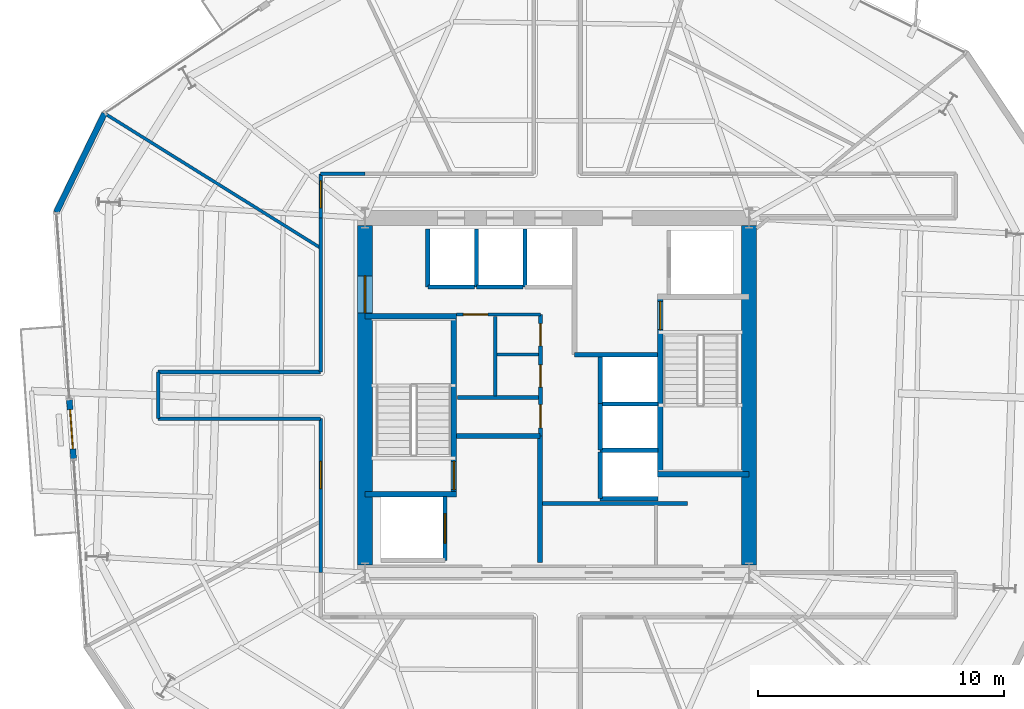
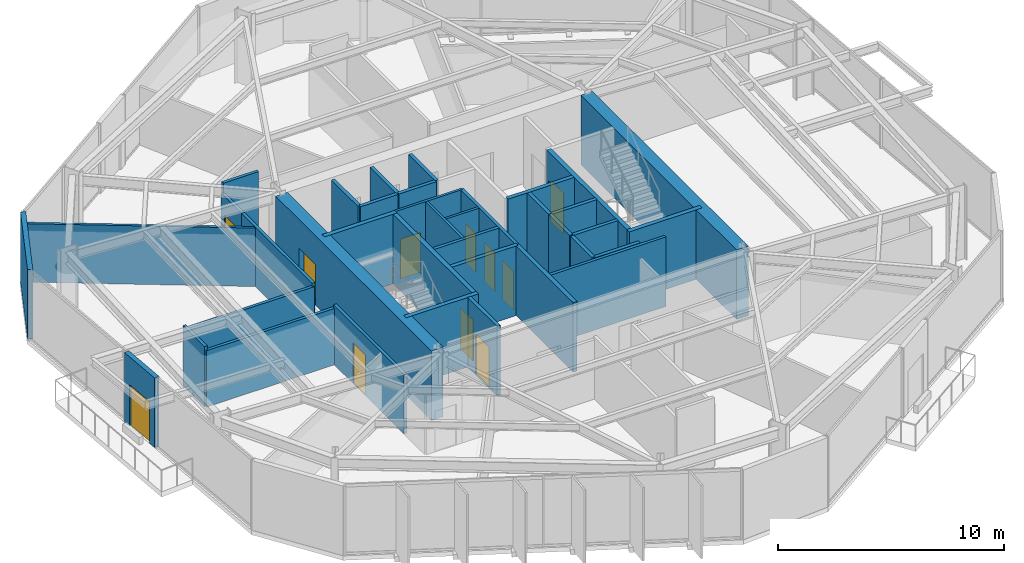
# One storey, part 7 of 14: 38 walls, 11 doors, 11 openings.
"""IFC4 building model written with IfcOpenShell, lengths in metres."""

from ifc_helpers import new_model, si_unit, direction, frame, frame_2d, origin, place, context, subcontext, project, spatial, rectangle, extrude, material, layer, layer_set, type_object, element, fill, save


model = new_model("IFC4")

# Units and contexts
model_context = context("Model", 3, precision=1e-05, world=origin(), true_north=direction((0.0, 1.0)))
body_context = subcontext(model_context, "Body", "Model", "MODEL_VIEW")
ifc_project = project(units=[si_unit("LENGTHUNIT", "METRE"), si_unit("AREAUNIT", "SQUARE_METRE"), si_unit("VOLUMEUNIT", "CUBIC_METRE"), si_unit("PLANEANGLEUNIT", "RADIAN"), si_unit("MASSUNIT", "GRAM", prefix="KILO")], contexts=[model_context])

# Site, building, storey
site_placement = place(None, origin())
site = spatial("IfcSite", under=ifc_project, at=site_placement, CompositionType="ELEMENT")
building_placement = place(site_placement, origin())
building = spatial("IfcBuilding", under=site, at=building_placement, Name="Kranzbogen Civic Tower", CompositionType="ELEMENT")
storey_placement = place(building_placement, frame((0.0, 0.0, 158.39990234375)))
storey = spatial("IfcBuildingStorey", under=building, at=storey_placement, Name="L38", CompositionType="ELEMENT", Elevation=158.39990234375)

# Wall
ifc_material_1 = material(Name="Double-Stud Acoustic Gypsum Partition")
ifc_layer_1 = layer(ifc_material_1, 0.14990234375, Name="Double-Stud Acoustic Gypsum Partition")
ifc_layer_set_1 = layer_set([ifc_layer_1], Name="Double-Stud Acoustic Gypsum Partition")
wall_type_1 = type_object("IfcWallType", Name="Acoustic Corridor and Clinical Partition 150 mm", PredefinedType="PARTITIONING", material=ifc_layer_set_1)
wall_1_placement = place(storey_placement, frame((24.39990234375, 20.610107421875, 0.0), z_axis=(0.0, 0.0, 1.0), x_axis=(1.0, 0.0, 0.0)))
element("IfcWall", 1, at=wall_1_placement, inside=storey, type_object=wall_type_1, Name="L38 records zone North wall", PredefinedType="PARTITIONING", context=body_context, shape_type="SweptSolid", body=[
    extrude(rectangle(XDim=5.900146484375, YDim=0.14990234375, at=frame_2d((2.9501953125, 0.0))), origin(), (0.0, 0.0, 1.0), 3.760009765625),
])

# Wall, opening, door
wall_2_placement = place(storey_placement, frame((15.39990234375, 17.800048828125, 0.0), z_axis=(0.0, 0.0, 1.0), x_axis=(0.0, 1.0, 0.0)))
wall_2 = element("IfcWall", 2, at=wall_2_placement, inside=storey, type_object=wall_type_1, Name="L38 corridor partition 03", PredefinedType="PARTITIONING", context=body_context, shape_type="SweptSolid", body=[
    extrude(rectangle(XDim=6.25, YDim=0.14990234375, at=frame_2d((3.125, 0.0))), origin(), (0.0, 0.0, 1.0), 3.210205078125),
])
opening_1_placement = place(wall_2_placement, frame((3.4130859375, 0.0, 0.0)))
opening_1 = element("IfcOpeningElement", 3, at=opening_1_placement, cuts=wall_2, Name="Opening D-COR60", PredefinedType="OPENING", context=body_context, shape_type="SweptSolid", body=[
    extrude(rectangle(XDim=1.10009765625, YDim=2.199951171875, at=frame_2d((0.550048828125, 1.10009765625))), frame((0.0, 0.0849609375, 0.0), z_axis=(0.0, -1.0, 0.0), x_axis=(1.0, 0.0, 0.0)), (0.0, 0.0, 1.0), 0.169921875),
])
ifc_material_2 = material(Name="Oak Timber and Fire Core", Category="wood")
door_type_1 = type_object("IfcDoorType", Name="Corridor Acoustic Fire Door 1100x2200", OperationType="NOTDEFINED", PredefinedType="DOOR", material=ifc_material_2)
door_1_placement = place(opening_1_placement, origin())
door_1 = element("IfcDoor", 4, at=door_1_placement, inside=storey, type_object=door_type_1, Name="L38 Staff Tea Pantry door", OperationType="SINGLE_SWING_LEFT", OverallHeight=2.199951171875, OverallWidth=1.10009765625, PredefinedType="DOOR", context=body_context, shape_type="SweptSolid", body=[
    extrude(rectangle(XDim=1.10009765625, YDim=2.199951171875, at=frame_2d((0.550048828125, 1.10009765625))), frame((0.0, 0.02490234375, 0.0), z_axis=(0.0, -1.0, 0.0), x_axis=(1.0, 0.0, 0.0)), (0.0, 0.0, 1.0), 0.050048828125),
])
fill(opening_1, door_1)

# Walls
wall_3_placement = place(storey_placement, frame((15.39990234375, 24.050048828125, 0.0), z_axis=(0.0, 0.0, 1.0), x_axis=(-1.0, 0.0, 0.0)))
element("IfcWall", 5, at=wall_3_placement, inside=storey, type_object=wall_type_1, Name="L38 corridor partition 04", PredefinedType="PARTITIONING", context=body_context, shape_type="SweptSolid", body=[
    extrude(rectangle(XDim=6.599853515625, YDim=0.14990234375, at=frame_2d((3.2998046875, 0.0))), origin(), (0.0, 0.0, 1.0), 3.050048828125),
])
wall_4_placement = place(storey_placement, frame((8.800048828125, 24.050048828125, 0.0), z_axis=(0.0, 0.0, 1.0), x_axis=(0.0, 1.0, 0.0)))
element("IfcWall", 6, at=wall_4_placement, inside=storey, type_object=wall_type_1, Name="L38 corridor partition 05", PredefinedType="PARTITIONING", context=body_context, shape_type="SweptSolid", body=[
    extrude(rectangle(XDim=1.89990234375, YDim=0.14990234375, at=frame_2d((0.949951171875, 0.0))), origin(), (0.0, 0.0, 1.0), 3.25),
])
wall_5_placement = place(storey_placement, frame((8.800048828125, 25.949951171875, 0.0), z_axis=(0.0, 0.0, 1.0), x_axis=(1.0, 0.0, 0.0)))
element("IfcWall", 7, at=wall_5_placement, inside=storey, type_object=wall_type_1, Name="L38 corridor partition 06", PredefinedType="PARTITIONING", context=body_context, shape_type="SweptSolid", body=[
    extrude(rectangle(XDim=6.599853515625, YDim=0.14990234375, at=frame_2d((3.2998046875, 0.0))), origin(), (0.0, 0.0, 1.0), 3.050048828125),
])
wall_6_placement = place(storey_placement, frame((15.39990234375, 25.949951171875, 0.0), z_axis=(0.0, 0.0, 1.0), x_axis=(0.0, 1.0, 0.0)))
element("IfcWall", 8, at=wall_6_placement, inside=storey, type_object=wall_type_1, Name="L38 corridor partition 07", PredefinedType="PARTITIONING", context=body_context, shape_type="SweptSolid", body=[
    extrude(rectangle(XDim=6.25, YDim=0.14990234375, at=frame_2d((3.125, 0.0))), origin(), (0.0, 0.0, 1.0), 3.210205078125),
])

# Wall, opening, door
wall_7_placement = place(storey_placement, frame((15.39990234375, 32.199951171875, 0.0), z_axis=(0.0, 0.0, 1.0), x_axis=(0.0, 1.0, 0.0)))
wall_7 = element("IfcWall", 9, at=wall_7_placement, inside=storey, type_object=wall_type_1, Name="L38 corridor partition 08", PredefinedType="PARTITIONING", context=body_context, shape_type="SweptSolid", body=[
    extrude(rectangle(XDim=1.800048828125, YDim=0.14990234375, at=frame_2d((0.89990234375, 0.0))), origin(), (0.0, 0.0, 1.0), 3.210205078125),
])
opening_2_placement = place(wall_7_placement, frame((0.4130859375, 0.0, 0.0)))
opening_2 = element("IfcOpeningElement", 10, at=opening_2_placement, cuts=wall_7, Name="Opening D-COR60", PredefinedType="OPENING", context=body_context, shape_type="SweptSolid", body=[
    extrude(rectangle(XDim=1.10009765625, YDim=2.199951171875, at=frame_2d((0.550048828125, 1.10009765625))), frame((0.0, 0.0849609375, 0.0), z_axis=(0.0, -1.0, 0.0), x_axis=(1.0, 0.0, 0.0)), (0.0, 0.0, 1.0), 0.169921875),
])
door_2_placement = place(opening_2_placement, origin())
door_2 = element("IfcDoor", 11, at=door_2_placement, inside=storey, type_object=door_type_1, Name="L38 Delegates Sitting Lounge door", OperationType="SINGLE_SWING_RIGHT", OverallHeight=2.199951171875, OverallWidth=1.10009765625, PredefinedType="DOOR", context=body_context, shape_type="SweptSolid", body=[
    extrude(rectangle(XDim=1.10009765625, YDim=2.199951171875, at=frame_2d((0.550048828125, 1.10009765625))), frame((0.0, 0.02490234375, 0.0), z_axis=(0.0, -1.0, 0.0), x_axis=(1.0, 0.0, 0.0)), (0.0, 0.0, 1.0), 0.050048828125),
])
fill(opening_2, door_2)

# Wall
wall_8_placement = place(storey_placement, frame((15.39990234375, 34.0, 0.0), z_axis=(0.0, 0.0, 1.0), x_axis=(1.0, 0.0, 0.0)))
element("IfcWall", 12, at=wall_8_placement, inside=storey, type_object=wall_type_1, Name="L38 corridor partition 09", PredefinedType="PARTITIONING", context=body_context, shape_type="SweptSolid", body=[
    extrude(rectangle(XDim=1.800048828125, YDim=0.14990234375, at=frame_2d((0.89990234375, 0.0))), origin(), (0.0, 0.0, 1.0), 3.760009765625),
])

# Wall, opening, door
ifc_material_3 = material(Name="Insulated Metal-Stud Gypsum Partition")
ifc_layer_2 = layer(ifc_material_3, 0.125, Name="Insulated Metal-Stud Gypsum Partition")
ifc_layer_set_2 = layer_set([ifc_layer_2], Name="Insulated Metal-Stud Gypsum Partition")
wall_type_2 = type_object("IfcWallType", Name="Acoustic Inter-Room Partition 125 mm", PredefinedType="PARTITIONING", material=ifc_layer_set_2)
wall_9_placement = place(storey_placement, frame((20.919921875, 28.280029296875, 0.0), z_axis=(0.0, 0.0, 1.0), x_axis=(1.0, 0.0, 0.0)))
wall_9 = element("IfcWall", 13, at=wall_9_placement, inside=storey, type_object=wall_type_2, Name="L38 core auxiliary North wall", PredefinedType="PARTITIONING", context=body_context, shape_type="SweptSolid", body=[
    extrude(rectangle(XDim=3.405029296875, YDim=0.125, at=frame_2d((1.70263671875, 0.0))), origin(), (0.0, 0.0, 1.0), 3.760009765625),
])
opening_3_placement = place(wall_9_placement, frame((0.27001953125, 0.0, 0.0)))
opening_3 = element("IfcOpeningElement", 14, at=opening_3_placement, cuts=wall_9, Name="Opening D-RSR10", PredefinedType="OPENING", context=body_context, shape_type="SweptSolid", body=[
    extrude(rectangle(XDim=1.0, YDim=2.14990234375, at=frame_2d((0.5, 1.074951171875))), frame((0.0, 0.072509765625, 0.0), z_axis=(0.0, -1.0, 0.0), x_axis=(1.0, 0.0, 0.0)), (0.0, 0.0, 1.0), 0.14501953125),
])
door_type_2 = type_object("IfcDoorType", Name="Core Archive and Riser Fire Door 1000x2150", OperationType="NOTDEFINED", PredefinedType="DOOR", material=ifc_material_2)
door_3_placement = place(opening_3_placement, origin())
door_3 = element("IfcDoor", 15, at=door_3_placement, inside=storey, type_object=door_type_2, Name="L38 Floor Supply Store door", OperationType="SINGLE_SWING_RIGHT", OverallHeight=2.14990234375, OverallWidth=1.0, PredefinedType="DOOR", context=body_context, shape_type="SweptSolid", body=[
    extrude(rectangle(XDim=1.0, YDim=2.14990234375, at=frame_2d((0.5, 1.074951171875))), frame((0.0, 0.02490234375, 0.0), z_axis=(0.0, -1.0, 0.0), x_axis=(1.0, 0.0, 0.0)), (0.0, 0.0, 1.0), 0.050048828125),
])
fill(opening_3, door_3)

# Walls
wall_10_placement = place(storey_placement, frame((22.489990234375, 24.969970703125, 0.0), z_axis=(0.0, 0.0, 1.0), x_axis=(0.0, 1.0, 0.0)))
element("IfcWall", 16, at=wall_10_placement, inside=storey, type_object=wall_type_2, Name="L38 core auxiliary partition 3", PredefinedType="PARTITIONING", context=body_context, shape_type="SweptSolid", body=[
    extrude(rectangle(XDim=3.22998046875, YDim=0.125, at=frame_2d((1.614990234375, 0.0))), origin(), (0.0, 0.0, 1.0), 3.760009765625),
])
wall_11_placement = place(storey_placement, frame((22.550048828125, 26.659912109375, 0.0), z_axis=(0.0, 0.0, 1.0), x_axis=(1.0, 0.0, 0.0)))
element("IfcWall", 17, at=wall_11_placement, inside=storey, type_object=wall_type_2, Name="L38 core auxiliary partition 4", PredefinedType="PARTITIONING", context=body_context, shape_type="SweptSolid", body=[
    extrude(rectangle(XDim=1.699951171875, YDim=0.125, at=frame_2d((0.85009765625, 0.0))), origin(), (0.0, 0.0, 1.0), 3.760009765625),
])
wall_12_placement = place(storey_placement, frame((15.39990234375, 30.98095703125, 0.0), z_axis=(0.0, 0.0, 1.0), x_axis=(-0.848716115213, 0.528848707833, 0.0)))
element("IfcWall", 18, at=wall_12_placement, inside=storey, type_object=wall_type_2, Name="L38 radial room partition 05", PredefinedType="PARTITIONING", context=body_context, shape_type="SweptSolid", body=[
    extrude(rectangle(XDim=10.326171875, YDim=0.125, at=frame_2d((5.1630859375, 0.0))), origin(), (0.0, 0.0, 1.0), 3.16015625),
])

# Wall, opening, door
ifc_material_4 = material(Name="Concrete C55/67", Category="concrete")
ifc_layer_3 = layer(ifc_material_4, 0.60009765625, Name="Concrete C55/67")
ifc_layer_set_3 = layer_set([ifc_layer_3], Name="Concrete C55/67")
wall_type_3 = type_object("IfcWallType", Name="Central Core Shear Wall 600 mm", PredefinedType="SHEAR", material=ifc_layer_set_3)
wall_13_placement = place(storey_placement, frame((17.199951171875, 31.89990234375, 0.0), z_axis=(0.0, 0.0, 1.0), x_axis=(0.0, -1.0, 0.0)))
wall_13 = element("IfcWall", 19, at=wall_13_placement, inside=storey, type_object=wall_type_3, Name="L38 central core West shear wall", PredefinedType="SHEAR", context=body_context, shape_type="SweptSolid", body=[
    extrude(rectangle(XDim=13.7998046875, YDim=0.60009765625, at=frame_2d((6.89990234375, 0.0))), origin(), (0.0, 0.0, 1.0), 3.760009765625),
])
opening_4_placement = place(wall_13_placement, frame((2.050048828125, 0.0, 0.0)))
opening_4 = element("IfcOpeningElement", 20, at=opening_4_placement, cuts=wall_13, Name="Opening D-DBL15", PredefinedType="OPENING", context=body_context, shape_type="SweptSolid", body=[
    extrude(rectangle(XDim=1.5, YDim=2.199951171875, at=frame_2d((0.75, 1.10009765625))), frame((0.0, 0.31005859375, 0.0), z_axis=(0.0, -1.0, 0.0), x_axis=(1.0, 0.0, 0.0)), (0.0, 0.0, 1.0), 0.6201171875),
])
ifc_material_5 = material(Name="Anodised Bronze and Glass", Category="glass")
door_type_3 = type_object("IfcDoorType", Name="Civic Lobby Double Door 1500x2200", OperationType="DOUBLE_DOOR_SINGLE_SWING", PredefinedType="DOOR", material=ifc_material_5)
door_4_placement = place(opening_4_placement, origin())
door_4 = element("IfcDoor", 21, at=door_4_placement, inside=storey, type_object=door_type_3, Name="L38 Central Lift Lobby West concourse door", OperationType="DOUBLE_DOOR_SINGLE_SWING", OverallHeight=2.199951171875, OverallWidth=1.5, PredefinedType="DOOR", context=body_context, shape_type="SweptSolid", body=[
    extrude(rectangle(XDim=1.5, YDim=2.199951171875, at=frame_2d((0.75, 1.10009765625))), frame((0.0, 0.02490234375, 0.0), z_axis=(0.0, -1.0, 0.0), x_axis=(1.0, 0.0, 0.0)), (0.0, 0.0, 1.0), 0.050048828125),
])
fill(opening_4, door_4)

# Wall
wall_14_placement = place(storey_placement, frame((32.800048828125, 18.10009765625, 0.0), z_axis=(0.0, 0.0, 1.0), x_axis=(0.0, 1.0, 0.0)))
element("IfcWall", 22, at=wall_14_placement, inside=storey, type_object=wall_type_3, Name="L38 central core East shear wall", PredefinedType="SHEAR", context=body_context, shape_type="SweptSolid", body=[
    extrude(rectangle(XDim=13.7998046875, YDim=0.60009765625, at=frame_2d((6.89990234375, 0.0))), origin(), (0.0, 0.0, 1.0), 3.760009765625),
])

# Wall, opening, door
ifc_material_6 = material(Name="Concrete C45/55", Category="concrete")
ifc_layer_4 = layer(ifc_material_6, 0.219970703125, Name="Concrete C45/55")
ifc_layer_set_4 = layer_set([ifc_layer_4], Name="Concrete C45/55")
wall_type_4 = type_object("IfcWallType", Name="Core Internal Stair Structural Wall 220 mm", PredefinedType="SOLIDWALL", material=ifc_layer_set_4)
wall_15_placement = place(storey_placement, frame((20.81005859375, 20.989990234375, 0.0), z_axis=(0.0, 0.0, 1.0), x_axis=(0.0, 1.0, 0.0)))
wall_15 = element("IfcWall", 23, at=wall_15_placement, inside=storey, type_object=wall_type_4, Name="L38 ST-T1 East structural stair wall", PredefinedType="SOLIDWALL", context=body_context, shape_type="SweptSolid", body=[
    extrude(rectangle(XDim=7.219970703125, YDim=0.219970703125, at=frame_2d((3.60986328125, 0.0))), origin(), (0.0, 0.0, 1.0), 3.760009765625),
])
opening_5_placement = place(wall_15_placement, frame((0.179931640625, 0.0, 0.0)))
opening_5 = element("IfcOpeningElement", 24, at=opening_5_placement, cuts=wall_15, Name="Opening D-ST90", PredefinedType="OPENING", context=body_context, shape_type="SweptSolid", body=[
    extrude(rectangle(XDim=1.14990234375, YDim=2.199951171875, at=frame_2d((0.574951171875, 1.10009765625))), frame((0.0, 0.1201171875, 0.0), z_axis=(0.0, -1.0, 0.0), x_axis=(1.0, 0.0, 0.0)), (0.0, 0.0, 1.0), 0.239990234375),
])
ifc_material_7 = material(Name="Steel S355", Category="steel")
door_type_4 = type_object("IfcDoorType", Name="Pressurized Stair and Lobby Fire Door 1150x2200", OperationType="NOTDEFINED", PredefinedType="DOOR", material=ifc_material_7)
door_5_placement = place(opening_5_placement, origin())
door_5 = element("IfcDoor", 25, at=door_5_placement, inside=storey, type_object=door_type_4, Name="L38 Stair ST-T1 fire door", OperationType="SINGLE_SWING_LEFT", OverallHeight=2.199951171875, OverallWidth=1.14990234375, PredefinedType="DOOR", context=body_context, shape_type="SweptSolid", body=[
    extrude(rectangle(XDim=1.14990234375, YDim=2.199951171875, at=frame_2d((0.574951171875, 1.10009765625))), frame((0.0, 0.02490234375, 0.0), z_axis=(0.0, -1.0, 0.0), x_axis=(1.0, 0.0, 0.0)), (0.0, 0.0, 1.0), 0.050048828125),
])
fill(opening_5, door_5)

# Walls
for number, where, z_axis, x_axis, name in (
    (26, (17.199951171875, 20.989990234375, 0.0), (0.0, 0.0, 1.0), (1.0, 0.0, 0.0), "L38 ST-T1 South structural stair wall"),
    (27, (17.199951171875, 28.2099609375, 0.0), (0.0, 0.0, 1.0), (1.0, 0.0, 0.0), "L38 ST-T1 North structural stair wall"),
):
    element("IfcWall", number, at=place(storey_placement, frame(where, z_axis=z_axis, x_axis=x_axis)), inside=storey, type_object=wall_type_4, Name=name, PredefinedType="SOLIDWALL", context=body_context, shape_type="SweptSolid", body=[
        extrude(rectangle(XDim=3.719970703125, YDim=0.219970703125, at=frame_2d((1.85986328125, 0.0))), origin(), (0.0, 0.0, 1.0), 3.760009765625),
    ])

# Wall, opening, door
wall_16_placement = place(storey_placement, frame((29.18994140625, 21.7900390625, 0.0), z_axis=(0.0, 0.0, 1.0), x_axis=(0.0, 1.0, 0.0)))
wall_16 = element("IfcWall", 28, at=wall_16_placement, inside=storey, type_object=wall_type_4, Name="L38 ST-T2 West structural stair wall", PredefinedType="SOLIDWALL", context=body_context, shape_type="SweptSolid", body=[
    extrude(rectangle(XDim=7.219970703125, YDim=0.219970703125, at=frame_2d((3.60986328125, 0.0))), origin(), (0.0, 0.0, 1.0), 3.760009765625),
])
opening_6_placement = place(wall_16_placement, frame((5.8798828125, 0.0, 0.0)))
opening_6 = element("IfcOpeningElement", 29, at=opening_6_placement, cuts=wall_16, Name="Opening D-ST90", PredefinedType="OPENING", context=body_context, shape_type="SweptSolid", body=[
    extrude(rectangle(XDim=1.14990234375, YDim=2.199951171875, at=frame_2d((0.574951171875, 1.10009765625))), frame((0.0, 0.1201171875, 0.0), z_axis=(0.0, -1.0, 0.0), x_axis=(1.0, 0.0, 0.0)), (0.0, 0.0, 1.0), 0.239990234375),
])
door_6_placement = place(opening_6_placement, origin())
door_6 = element("IfcDoor", 30, at=door_6_placement, inside=storey, type_object=door_type_4, Name="L38 Stair ST-T2 fire door", OperationType="SINGLE_SWING_RIGHT", OverallHeight=2.199951171875, OverallWidth=1.14990234375, PredefinedType="DOOR", context=body_context, shape_type="SweptSolid", body=[
    extrude(rectangle(XDim=1.14990234375, YDim=2.199951171875, at=frame_2d((0.574951171875, 1.10009765625))), frame((0.0, 0.02490234375, 0.0), z_axis=(0.0, -1.0, 0.0), x_axis=(1.0, 0.0, 0.0)), (0.0, 0.0, 1.0), 0.050048828125),
])
fill(opening_6, door_6)

# Walls
wall_17_placement = place(storey_placement, frame((29.080078125, 21.7900390625, 0.0), z_axis=(0.0, 0.0, 1.0), x_axis=(1.0, 0.0, 0.0)))
element("IfcWall", 31, at=wall_17_placement, inside=storey, type_object=wall_type_4, Name="L38 ST-T2 South structural stair wall", PredefinedType="SOLIDWALL", context=body_context, shape_type="SweptSolid", body=[
    extrude(rectangle(XDim=3.719970703125, YDim=0.219970703125, at=frame_2d((1.85986328125, 0.0))), origin(), (0.0, 0.0, 1.0), 3.760009765625),
])
ifc_material_8 = material(Name="Gypsum Fireboard and Concrete Block", Category="concrete")
ifc_layer_5 = layer(ifc_material_8, 0.199951171875, Name="Gypsum Fireboard and Concrete Block")
ifc_layer_set_5 = layer_set([ifc_layer_5], Name="Gypsum Fireboard and Concrete Block")
wall_type_5 = type_object("IfcWallType", Name="Fire-Rated Exit Passageway and Stair Wall 200 mm", PredefinedType="PARTITIONING", material=ifc_layer_set_5)
wall_18_placement = place(storey_placement, frame((24.300048828125, 18.199951171875, 0.0), z_axis=(0.0, 0.0, 1.0), x_axis=(0.0, 1.0, 0.0)))
element("IfcWall", 32, at=wall_18_placement, inside=storey, type_object=wall_type_5, Name="L38 West firefighting lobby East wall", PredefinedType="PARTITIONING", context=body_context, shape_type="SweptSolid", body=[
    extrude(rectangle(XDim=5.150146484375, YDim=0.199951171875, at=frame_2d((2.5751953125, 0.0))), origin(), (0.0, 0.0, 1.0), 3.760009765625),
])
for number, where, z_axis, x_axis, name in (
    (33, (20.919921875, 23.35009765625, 0.0), (0.0, 0.0, 1.0), (1.0, 0.0, 0.0), "L38 West firefighting lobby North wall"),
    (34, (25.699951171875, 26.64990234375, 0.0), (0.0, 0.0, 1.0), (1.0, 0.0, 0.0), "L38 East firefighting lobby South wall"),
):
    element("IfcWall", number, at=place(storey_placement, frame(where, z_axis=z_axis, x_axis=x_axis)), inside=storey, type_object=wall_type_5, Name=name, PredefinedType="PARTITIONING", context=body_context, shape_type="SweptSolid", body=[
        extrude(rectangle(XDim=3.380126953125, YDim=0.199951171875, at=frame_2d((1.68994140625, 0.0))), origin(), (0.0, 0.0, 1.0), 3.760009765625),
    ])
ifc_material_9 = material(Name="Gypsum Fireboard Shaftliner")
ifc_layer_6 = layer(ifc_material_9, 0.175048828125, Name="Gypsum Fireboard Shaftliner")
ifc_layer_set_6 = layer_set([ifc_layer_6], Name="Gypsum Fireboard Shaftliner")
wall_type_6 = type_object("IfcWallType", Name="Fire-Rated Lift and Service Shaft Wall 175 mm", PredefinedType="PARTITIONING", material=ifc_layer_set_6)
wall_19_placement = place(storey_placement, frame((19.75, 29.39990234375, 0.0), z_axis=(0.0, 0.0, 1.0), x_axis=(1.0, 0.0, 0.0)))
element("IfcWall", 35, at=wall_19_placement, inside=storey, type_object=wall_type_6, Name="L38 lift MP-01 rear wall", PredefinedType="PARTITIONING", context=body_context, shape_type="SweptSolid", body=[
    extrude(rectangle(XDim=1.89990234375, YDim=0.175048828125, at=frame_2d((0.949951171875, 0.0))), origin(), (0.0, 0.0, 1.0), 3.760009765625),
])
wall_20_placement = place(storey_placement, frame((19.75, 29.39990234375, 0.0), z_axis=(0.0, 0.0, 1.0), x_axis=(0.0, 1.0, 0.0)))
element("IfcWall", 36, at=wall_20_placement, inside=storey, type_object=wall_type_6, Name="L38 lift MP-01 side wall", PredefinedType="PARTITIONING", context=body_context, shape_type="SweptSolid", body=[
    extrude(rectangle(XDim=2.35009765625, YDim=0.175048828125, at=frame_2d((1.175048828125, 0.0))), origin(), (0.0, 0.0, 1.0), 3.760009765625),
])
wall_21_placement = place(storey_placement, frame((21.72509765625, 29.39990234375, 0.0), z_axis=(0.0, 0.0, 1.0), x_axis=(1.0, 0.0, 0.0)))
element("IfcWall", 37, at=wall_21_placement, inside=storey, type_object=wall_type_6, Name="L38 lift MP-02 rear wall", PredefinedType="PARTITIONING", context=body_context, shape_type="SweptSolid", body=[
    extrude(rectangle(XDim=1.89990234375, YDim=0.175048828125, at=frame_2d((0.949951171875, 0.0))), origin(), (0.0, 0.0, 1.0), 3.760009765625),
])
for number, where, z_axis, x_axis, name in (
    (38, (21.72509765625, 29.39990234375, 0.0), (0.0, 0.0, 1.0), (0.0, 1.0, 0.0), "L38 lift MP-02 side wall"),
    (39, (23.699951171875, 29.39990234375, 0.0), (0.0, 0.0, 1.0), (0.0, 1.0, 0.0), "L38 lift MP-03 side wall"),
):
    element("IfcWall", number, at=place(storey_placement, frame(where, z_axis=z_axis, x_axis=x_axis)), inside=storey, type_object=wall_type_6, Name=name, PredefinedType="PARTITIONING", context=body_context, shape_type="SweptSolid", body=[
        extrude(rectangle(XDim=2.35009765625, YDim=0.175048828125, at=frame_2d((1.175048828125, 0.0))), origin(), (0.0, 0.0, 1.0), 3.760009765625),
    ])
wall_22_placement = place(storey_placement, frame((26.75, 20.800048828125, 0.0), z_axis=(0.0, 0.0, 1.0), x_axis=(0.0, 1.0, 0.0)))
element("IfcWall", 40, at=wall_22_placement, inside=storey, type_object=wall_type_6, Name="L38 lift HP-01 landing wall", PredefinedType="PARTITIONING", context=body_context, shape_type="SweptSolid", body=[
    extrude(rectangle(XDim=1.89990234375, YDim=0.175048828125, at=frame_2d((0.949951171875, 0.0))), origin(), (0.0, 0.0, 1.0), 3.760009765625),
])
wall_23_placement = place(storey_placement, frame((26.75, 20.800048828125, 0.0), z_axis=(0.0, 0.0, 1.0), x_axis=(1.0, 0.0, 0.0)))
element("IfcWall", 41, at=wall_23_placement, inside=storey, type_object=wall_type_6, Name="L38 lift HP-01 side wall", PredefinedType="PARTITIONING", context=body_context, shape_type="SweptSolid", body=[
    extrude(rectangle(XDim=2.35009765625, YDim=0.175048828125, at=frame_2d((1.175048828125, 0.0))), origin(), (0.0, 0.0, 1.0), 3.760009765625),
])
wall_24_placement = place(storey_placement, frame((26.75, 22.77490234375, 0.0), z_axis=(0.0, 0.0, 1.0), x_axis=(0.0, 1.0, 0.0)))
element("IfcWall", 42, at=wall_24_placement, inside=storey, type_object=wall_type_6, Name="L38 lift HP-02 landing wall", PredefinedType="PARTITIONING", context=body_context, shape_type="SweptSolid", body=[
    extrude(rectangle(XDim=1.900146484375, YDim=0.175048828125, at=frame_2d((0.9501953125, 0.0))), origin(), (0.0, 0.0, 1.0), 3.760009765625),
])
wall_25_placement = place(storey_placement, frame((26.75, 22.77490234375, 0.0), z_axis=(0.0, 0.0, 1.0), x_axis=(1.0, 0.0, 0.0)))
element("IfcWall", 43, at=wall_25_placement, inside=storey, type_object=wall_type_6, Name="L38 lift HP-02 side wall", PredefinedType="PARTITIONING", context=body_context, shape_type="SweptSolid", body=[
    extrude(rectangle(XDim=2.35009765625, YDim=0.175048828125, at=frame_2d((1.175048828125, 0.0))), origin(), (0.0, 0.0, 1.0), 3.760009765625),
])
wall_26_placement = place(storey_placement, frame((26.75, 24.64990234375, 0.0), z_axis=(0.0, 0.0, 1.0), x_axis=(0.0, 1.0, 0.0)))
element("IfcWall", 44, at=wall_26_placement, inside=storey, type_object=wall_type_6, Name="L38 lift HP-03 landing wall", PredefinedType="PARTITIONING", context=body_context, shape_type="SweptSolid", body=[
    extrude(rectangle(XDim=1.900146484375, YDim=0.175048828125, at=frame_2d((0.9501953125, 0.0))), origin(), (0.0, 0.0, 1.0), 3.760009765625),
])
wall_27_placement = place(storey_placement, frame((26.75, 24.64990234375, 0.0), z_axis=(0.0, 0.0, 1.0), x_axis=(1.0, 0.0, 0.0)))
element("IfcWall", 45, at=wall_27_placement, inside=storey, type_object=wall_type_6, Name="L38 lift HP-03 side wall", PredefinedType="PARTITIONING", context=body_context, shape_type="SweptSolid", body=[
    extrude(rectangle(XDim=2.35009765625, YDim=0.175048828125, at=frame_2d((1.175048828125, 0.0))), origin(), (0.0, 0.0, 1.0), 3.760009765625),
])

# Wall, opening, door
wall_28_placement = place(storey_placement, frame((20.449951171875, 18.300048828125, 0.0), z_axis=(0.0, 0.0, 1.0), x_axis=(0.0, 1.0, 0.0)))
wall_28 = element("IfcWall", 46, at=wall_28_placement, inside=storey, type_object=wall_type_6, Name="L38 lift FF-01 landing wall", PredefinedType="PARTITIONING", context=body_context, shape_type="SweptSolid", body=[
    extrude(rectangle(XDim=2.599853515625, YDim=0.175048828125, at=frame_2d((1.2998046875, 0.0))), origin(), (0.0, 0.0, 1.0), 3.760009765625),
])
opening_7_placement = place(wall_28_placement, frame((0.699951171875, 0.0, 0.0)))
opening_7 = element("IfcOpeningElement", 47, at=opening_7_placement, cuts=wall_28, Name="Opening LD-FF-01", PredefinedType="OPENING", context=body_context, shape_type="SweptSolid", body=[
    extrude(rectangle(XDim=1.199951171875, YDim=2.199951171875, at=frame_2d((0.60009765625, 1.10009765625))), frame((0.0, 0.09765625, 0.0), z_axis=(0.0, -1.0, 0.0), x_axis=(1.0, 0.0, 0.0)), (0.0, 0.0, 1.0), 0.195068359375),
])
ifc_material_10 = material(Name="Pale Anodised Aluminium", Category="aluminium")
door_type_5 = type_object("IfcDoorType", Name="Firefighting and Stretcher Lift Sliding Landing Door 1200x2200", OperationType="DOUBLE_DOOR_SLIDING", PredefinedType="DOOR", material=ifc_material_10)
door_7_placement = place(opening_7_placement, origin())
door_7 = element("IfcDoor", 48, at=door_7_placement, inside=storey, type_object=door_type_5, Name="L38 lift FF-01 sliding landing door", OperationType="DOUBLE_DOOR_SLIDING", OverallHeight=2.199951171875, OverallWidth=1.199951171875, PredefinedType="DOOR", context=body_context, shape_type="SweptSolid", body=[
    extrude(rectangle(XDim=1.199951171875, YDim=2.199951171875, at=frame_2d((0.60009765625, 1.10009765625))), frame((0.0, 0.02490234375, 0.0), z_axis=(0.0, -1.0, 0.0), x_axis=(1.0, 0.0, 0.0)), (0.0, 0.0, 1.0), 0.050048828125),
])
fill(opening_7, door_7)

# Wall
ifc_layer_7 = layer(ifc_material_10, 0.239990234375, Name="Pale Anodised Aluminium")
ifc_layer_set_7 = layer_set([ifc_layer_7], Name="Pale Anodised Aluminium")
wall_type_7 = type_object("IfcWallType", Name="Insulated Aluminium Facade Portal Wall 240 mm", PredefinedType="STANDARD", material=ifc_layer_set_7)
wall_29_placement = place(storey_placement, frame((6.6201171875, 36.451904296875, 0.0), z_axis=(0.0, 0.0, 1.0), x_axis=(-0.438566687479, -0.898698648399, 0.0)))
element("IfcWall", 49, at=wall_29_placement, inside=storey, type_object=wall_type_7, Name="L38 chamfered corner facade spandrel 2", PredefinedType="STANDARD", context=body_context, shape_type="SweptSolid", body=[
    extrude(rectangle(XDim=4.4716796875, YDim=0.239990234375, at=frame_2d((2.23583984375, 0.0))), origin(), (0.0, 0.0, 1.0), 3.760009765625),
])

# Wall, opening, door
wall_30_placement = place(storey_placement, frame((5.19189453125, 24.818115234375, 0.0), z_axis=(0.0, 0.0, 1.0), x_axis=(0.070090302694, -0.997540650534, 0.0)))
wall_30 = element("IfcWall", 50, at=wall_30_placement, inside=storey, type_object=wall_type_7, Name="L38 exterior entrance portal wall 1", PredefinedType="STANDARD", context=body_context, shape_type="SweptSolid", body=[
    extrude(rectangle(XDim=2.39990234375, YDim=0.239990234375, at=frame_2d((1.199951171875, 0.0))), origin(), (0.0, 0.0, 1.0), 3.760009765625),
])
opening_8_placement = place(wall_30_placement, frame((0.39990234375, 0.0, 0.0)))
opening_8 = element("IfcOpeningElement", 51, at=opening_8_placement, cuts=wall_30, Name="Opening D-TER", PredefinedType="OPENING", context=body_context, shape_type="SweptSolid", body=[
    extrude(rectangle(XDim=1.60009765625, YDim=2.25, at=frame_2d((0.800048828125, 1.125))), frame((0.0, 0.1298828125, 0.0), z_axis=(0.0, -1.0, 0.0), x_axis=(1.0, 0.0, 0.0)), (0.0, 0.0, 1.0), 0.260009765625),
])
ifc_material_11 = material(Name="Anodised Bronze and Triple Glass", Category="glass")
door_type_6 = type_object("IfcDoorType", Name="Glazed Terrace and Balcony Double Door 1600x2250", OperationType="DOUBLE_DOOR_SINGLE_SWING", PredefinedType="DOOR", material=ifc_material_11)
door_8_placement = place(opening_8_placement, frame((1.60009765625, 0.0, 0.0), z_axis=(0.0, 0.0, 1.0), x_axis=(-1.0, 0.0, 0.0)))
door_8 = element("IfcDoor", 52, at=door_8_placement, inside=storey, type_object=door_type_6, Name="L38 spiral terrace access door L38-ST", OperationType="DOUBLE_DOOR_SINGLE_SWING", OverallHeight=2.25, OverallWidth=1.60009765625, PredefinedType="DOOR", context=body_context, shape_type="SweptSolid", body=[
    extrude(rectangle(XDim=1.60009765625, YDim=2.25, at=frame_2d((0.800048828125, 1.125))), frame((0.0, 0.02490234375, 0.0), z_axis=(0.0, -1.0, 0.0), x_axis=(1.0, 0.0, 0.0)), (0.0, 0.0, 1.0), 0.050048828125),
])
fill(opening_8, door_8)

# Wall, openings, doors
ifc_material_12 = material(Name="Moisture-Resistant Gypsum Assembly")
ifc_layer_8 = layer(ifc_material_12, 0.159912109375, Name="Moisture-Resistant Gypsum Assembly")
ifc_layer_set_8 = layer_set([ifc_layer_8], Name="Moisture-Resistant Gypsum Assembly")
wall_type_8 = type_object("IfcWallType", Name="Sanitary and Plumbing Wet Wall 160 mm", PredefinedType="PLUMBINGWALL", material=ifc_layer_set_8)
wall_31_placement = place(storey_placement, frame((24.324951171875, 23.35009765625, 0.0), z_axis=(0.0, 0.0, 1.0), x_axis=(0.0, 1.0, 0.0)))
wall_31 = element("IfcWall", 53, at=wall_31_placement, inside=storey, type_object=wall_type_8, Name="L38 core auxiliary East wall", PredefinedType="PLUMBINGWALL", context=body_context, shape_type="SweptSolid", body=[
    extrude(rectangle(XDim=4.929931640625, YDim=0.159912109375, at=frame_2d((2.46484375, 0.0))), origin(), (0.0, 0.0, 1.0), 3.760009765625),
])
opening_9_placement = place(wall_31_placement, frame((0.324951171875, 0.0, 0.0)))
opening_9 = element("IfcOpeningElement", 54, at=opening_9_placement, cuts=wall_31, Name="Opening D-AWC95", PredefinedType="OPENING", context=body_context, shape_type="SweptSolid", body=[
    extrude(rectangle(XDim=0.949951171875, YDim=2.10009765625, at=frame_2d((0.47509765625, 1.050048828125))), frame((0.0, 0.08984375, 0.0), z_axis=(0.0, -1.0, 0.0), x_axis=(1.0, 0.0, 0.0)), (0.0, 0.0, 1.0), 0.179931640625),
])
opening_10_placement = place(wall_31_placement, frame((1.985107421875, 0.0, 0.0)))
opening_10 = element("IfcOpeningElement", 55, at=opening_10_placement, cuts=wall_31, Name="Opening D-WC90", PredefinedType="OPENING", context=body_context, shape_type="SweptSolid", body=[
    extrude(rectangle(XDim=0.89990234375, YDim=2.10009765625, at=frame_2d((0.449951171875, 1.050048828125))), frame((0.0, 0.08984375, 0.0), z_axis=(0.0, -1.0, 0.0), x_axis=(1.0, 0.0, 0.0)), (0.0, 0.0, 1.0), 0.179931640625),
])
opening_11_placement = place(wall_31_placement, frame((3.659912109375, 0.0, 0.0)))
opening_11 = element("IfcOpeningElement", 56, at=opening_11_placement, cuts=wall_31, Name="Opening D-WC90", PredefinedType="OPENING", context=body_context, shape_type="SweptSolid", body=[
    extrude(rectangle(XDim=0.89990234375, YDim=2.10009765625, at=frame_2d((0.449951171875, 1.050048828125))), frame((0.0, 0.08984375, 0.0), z_axis=(0.0, -1.0, 0.0), x_axis=(1.0, 0.0, 0.0)), (0.0, 0.0, 1.0), 0.179931640625),
])
ifc_material_13 = material(Name="Moisture-Resistant Laminate")
door_type_7 = type_object("IfcDoorType", Name="Accessible Restroom Door 950x2100", OperationType="NOTDEFINED", PredefinedType="DOOR", material=ifc_material_13)
door_9_placement = place(opening_9_placement, origin())
door_9 = element("IfcDoor", 57, at=door_9_placement, inside=storey, type_object=door_type_7, Name="L38 Accessible Restroom door", OperationType="SINGLE_SWING_LEFT", OverallHeight=2.10009765625, OverallWidth=0.949951171875, PredefinedType="DOOR", context=body_context, shape_type="SweptSolid", body=[
    extrude(rectangle(XDim=0.949951171875, YDim=2.10009765625, at=frame_2d((0.47509765625, 1.050048828125))), frame((0.0, 0.02490234375, 0.0), z_axis=(0.0, -1.0, 0.0), x_axis=(1.0, 0.0, 0.0)), (0.0, 0.0, 1.0), 0.050048828125),
])
fill(opening_9, door_9)
door_type_8 = type_object("IfcDoorType", Name="Standard Restroom and Store Door 900x2100", OperationType="NOTDEFINED", PredefinedType="DOOR", material=ifc_material_13)
door_10_placement = place(opening_10_placement, origin())
door_10 = element("IfcDoor", 58, at=door_10_placement, inside=storey, type_object=door_type_8, Name="L38 Gender-Neutral Restroom door", OperationType="SINGLE_SWING_RIGHT", OverallHeight=2.10009765625, OverallWidth=0.89990234375, PredefinedType="DOOR", context=body_context, shape_type="SweptSolid", body=[
    extrude(rectangle(XDim=0.89990234375, YDim=2.10009765625, at=frame_2d((0.449951171875, 1.050048828125))), frame((0.0, 0.02490234375, 0.0), z_axis=(0.0, -1.0, 0.0), x_axis=(1.0, 0.0, 0.0)), (0.0, 0.0, 1.0), 0.050048828125),
])
fill(opening_10, door_10)
door_11_placement = place(opening_11_placement, origin())
door_11 = element("IfcDoor", 59, at=door_11_placement, inside=storey, type_object=door_type_8, Name="L38 Floor IT Patch Closet door", OperationType="SINGLE_SWING_LEFT", OverallHeight=2.10009765625, OverallWidth=0.89990234375, PredefinedType="DOOR", context=body_context, shape_type="SweptSolid", body=[
    extrude(rectangle(XDim=0.89990234375, YDim=2.10009765625, at=frame_2d((0.449951171875, 1.050048828125))), frame((0.0, 0.02490234375, 0.0), z_axis=(0.0, -1.0, 0.0), x_axis=(1.0, 0.0, 0.0)), (0.0, 0.0, 1.0), 0.050048828125),
])
fill(opening_11, door_11)

# Wall
wall_32_placement = place(storey_placement, frame((20.949951171875, 24.909912109375, 0.0), z_axis=(0.0, 0.0, 1.0), x_axis=(1.0, 0.0, 0.0)))
element("IfcWall", 60, at=wall_32_placement, inside=storey, type_object=wall_type_8, Name="L38 core auxiliary partition 2", PredefinedType="PLUMBINGWALL", context=body_context, shape_type="SweptSolid", body=[
    extrude(rectangle(XDim=3.300048828125, YDim=0.159912109375, at=frame_2d((1.64990234375, 0.0))), origin(), (0.0, 0.0, 1.0), 3.760009765625),
])

save(model, "model.ifc")
